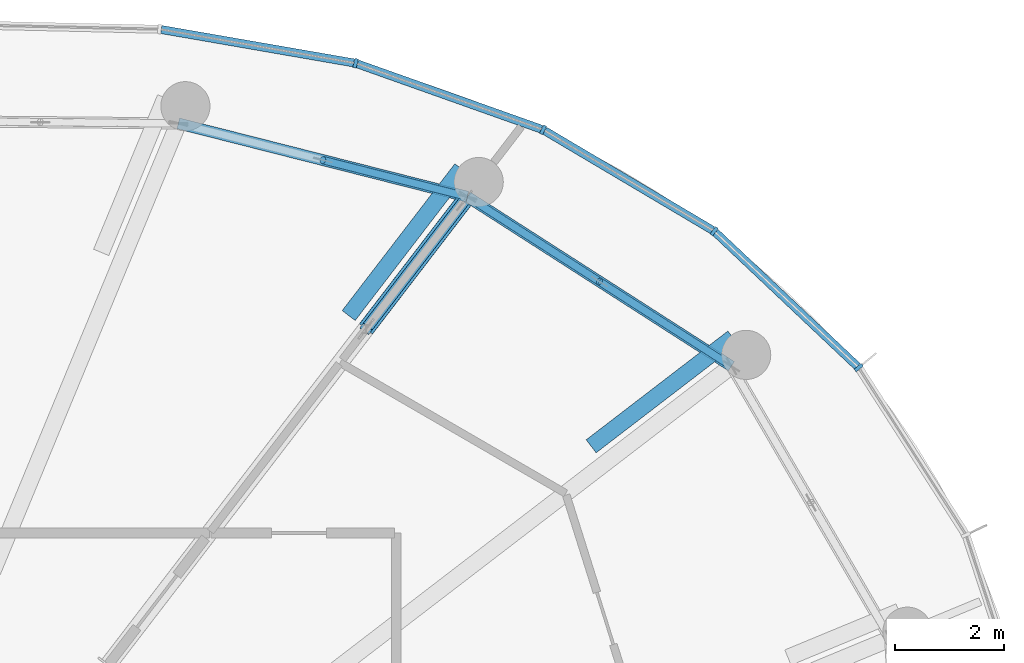
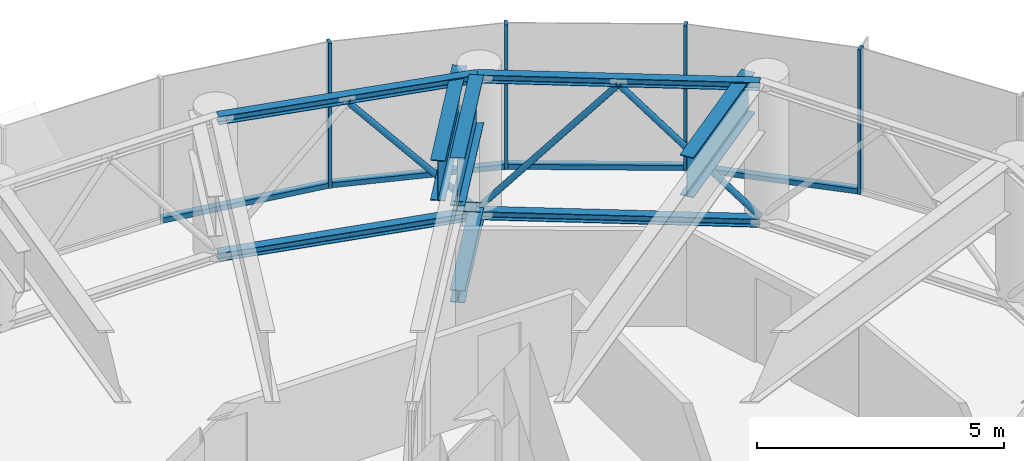
# One storey, part 13 of 26: 17 members, 3 beams, 1 element without a shape of its own.
"""IFC4 building model written with IfcOpenShell, lengths in metres."""

from ifc_helpers import new_model, si_unit, direction, frame, origin, origin_2d, place, context, subcontext, project, spatial, rectangle, hollow_circle, i_section, extrude, source, transform, mapped, material, layer, layer_set, material_profile, profile_set, type_object, element, aggregate, save


model = new_model("IFC4")

# Units and contexts
model_context = context("Model", 3, precision=1e-05, world=origin(), true_north=direction((0.0, 1.0)))
body_context = subcontext(model_context, "Body", "Model", "MODEL_VIEW")
ifc_project = project(units=[si_unit("LENGTHUNIT", "METRE"), si_unit("AREAUNIT", "SQUARE_METRE"), si_unit("VOLUMEUNIT", "CUBIC_METRE"), si_unit("PLANEANGLEUNIT", "RADIAN"), si_unit("MASSUNIT", "GRAM", prefix="KILO")], contexts=[model_context])

# Site, building, storey
site_placement = place(None, origin())
site = spatial("IfcSite", under=ifc_project, at=site_placement, CompositionType="ELEMENT")
building_placement = place(site_placement, origin())
building = spatial("IfcBuilding", under=site, at=building_placement, Name="Spindrift Exchange Tower", CompositionType="ELEMENT")
storey_placement = place(building_placement, frame((0.0, 0.0, 230.60009765625)))
storey = spatial("IfcBuildingStorey", under=building, at=storey_placement, Name="L56", CompositionType="ELEMENT", Elevation=230.60009765625)

# Beam
ifc_material_1 = material(Name="Steel Grade 300", Category="steel")
ifc_material_profile_1 = material_profile(ifc_material_1, i_section(OverallWidth=0.300048828125, OverallDepth=1.199951171875, WebThickness=0.011962890625, FlangeThickness=0.028076171875, at=origin_2d()), Name="1200WB249")
ifc_profile_set_1 = profile_set([ifc_material_profile_1], Name="Steel Grade 300")
beam_type_1 = type_object("IfcBeamType", Name="Outrigger Truss Transfer Girder 1200WB249 Steel Grade 300", PredefinedType="BEAM", material=ifc_profile_set_1)
shared_shape_1 = source(origin(), body_context, "Body", "SweptSolid", [
    extrude(i_section(OverallWidth=0.300048828125, OverallDepth=1.199951171875, WebThickness=0.011962890625, FlangeThickness=0.028076171875, at=origin_2d()), origin(), (0.0, 0.0, 1.0), 2.95703125),
])
beam_1_placement = place(storey_placement, frame((62.846923828125, 62.135986328125, 2.97998046875), z_axis=(0.608748695602, 0.793363110815, 0.0), x_axis=(-0.793363110815, 0.608748695602, 0.0)))
element("IfcBeam", 1, at=beam_1_placement, inside=storey, type_object=beam_type_1, Name="L56 outrigger truss 04 top chord 2", PredefinedType="BEAM", context=body_context, shape_type="MappedRepresentation", body=[
    mapped(shared_shape_1, transform((0.0, 0.0, 0.0), scale=1.0)),
])

# Members
ifc_material_profile_2 = material_profile(ifc_material_1, i_section(OverallWidth=0.304931640625, OverallDepth=0.30810546875, WebThickness=0.010009765625, FlangeThickness=0.015380859375, FilletRadius=0.0166015625, at=origin_2d()), Name="310UC96.8")
ifc_profile_set_2 = profile_set([ifc_material_profile_2], Name="Steel Grade 300")
member_type_1 = type_object("IfcMemberType", Name="Outrigger Truss Chord 310UC96.8 Steel Grade 300", PredefinedType="CHORD", material=ifc_profile_set_2)
shared_shape_2 = source(origin(), body_context, "Body", "SweptSolid", [
    extrude(i_section(OverallWidth=0.304931640625, OverallDepth=0.30810546875, WebThickness=0.010009765625, FlangeThickness=0.015380859375, FilletRadius=0.0166015625, at=origin_2d()), origin(), (0.0, 0.0, 1.0), 2.95703125),
])
member_1_placement = place(storey_placement, frame((62.846923828125, 62.135986328125, 0.15380859375), z_axis=(0.608748695602, 0.793363110815, 0.0), x_axis=(-0.793363110815, 0.608748695602, 0.0)))
element("IfcMember", 2, at=member_1_placement, inside=storey, type_object=member_type_1, Name="L56 outrigger truss 04 bottom chord 2", PredefinedType="CHORD", context=body_context, shape_type="MappedRepresentation", body=[
    mapped(shared_shape_2, transform((0.0, 0.0, 0.0), scale=1.0)),
])
ifc_material_profile_3 = material_profile(ifc_material_1, i_section(OverallWidth=0.202880859375, OverallDepth=0.202880859375, WebThickness=0.00732421875, FlangeThickness=0.010986328125, FilletRadius=0.012939453125, at=origin_2d()), Name="200UC46.2")
ifc_profile_set_3 = profile_set([ifc_material_profile_3], Name="Steel Grade 300")
member_type_2 = type_object("IfcMemberType", Name="Outrigger Truss Diagonal 200UC46.2 Steel Grade 300", PredefinedType="BRACE", material=ifc_profile_set_3)
shared_shape_3 = source(origin(), body_context, "Body", "SweptSolid", [
    extrude(i_section(OverallWidth=0.202880859375, OverallDepth=0.202880859375, WebThickness=0.00732421875, FlangeThickness=0.010986328125, FilletRadius=0.012939453125, at=origin_2d()), origin(), (0.0, 0.0, 1.0), 3.610595703125),
])
member_2_placement = place(storey_placement, frame((62.846923828125, 62.135986328125, 2.3798828125), z_axis=(0.498536349388, 0.649726811511, -0.573861114507), x_axis=(-0.793363110815, 0.608748695602, 0.0)))
element("IfcMember", 3, at=member_2_placement, inside=storey, type_object=member_type_2, Name="L56 outrigger truss 04 diagonal 2", PredefinedType="BRACE", context=body_context, shape_type="MappedRepresentation", body=[
    mapped(shared_shape_3, transform((0.0, 0.0, 0.0), scale=1.0)),
])
ifc_material_profile_4 = material_profile(ifc_material_1, i_section(OverallWidth=0.202880859375, OverallDepth=0.202880859375, WebThickness=0.00732421875, FlangeThickness=0.010986328125, FilletRadius=0.012939453125, at=origin_2d()), Name="200UC46.2")
ifc_profile_set_4 = profile_set([ifc_material_profile_4], Name="Steel Grade 300")
member_type_3 = type_object("IfcMemberType", Name="Belt Truss Chord 200UC46.2 Steel Grade 300", PredefinedType="CHORD", material=ifc_profile_set_4)
shared_shape_4 = source(origin(), body_context, "Body", "SweptSolid", [
    extrude(i_section(OverallWidth=0.202880859375, OverallDepth=0.202880859375, WebThickness=0.00732421875, FlangeThickness=0.010986328125, FilletRadius=0.012939453125, at=origin_2d()), origin(), (0.0, 0.0, 1.0), 5.739990234375),
])
for number, where, z_axis, x_axis, name in (
    (4, (69.532470703125, 61.452880859375, 3.478515625), (-0.841556919883, 0.540168446503, 0.0), (-0.540168446503, -0.841556919883, 0.0), "L56 belt truss 03 top chord"),
    (5, (69.532470703125, 61.452880859375, 0.101318359375), (-0.841556919883, 0.540168446503, 0.0), (-0.540168446503, -0.841556919883, 0.0), "L56 belt truss 03 bottom chord"),
):
    element("IfcMember", number, at=place(storey_placement, frame(where, z_axis=z_axis, x_axis=x_axis)), inside=storey, type_object=member_type_3, Name=name, PredefinedType="CHORD", context=body_context, shape_type="MappedRepresentation", body=[
        mapped(shared_shape_4, transform((0.0, 0.0, 0.0), scale=1.0)),
    ])
ifc_material_2 = material(Name="Steel Grade 350", Category="steel")
ifc_material_profile_5 = material_profile(ifc_material_2, hollow_circle(Radius=0.06982421875, WallThickness=0.00537109375, at=origin_2d()), Name="139.7x5.4CHS")
ifc_profile_set_5 = profile_set([ifc_material_profile_5], Name="Steel Grade 350")
member_type_4 = type_object("IfcMemberType", Name="Belt Truss Diagonal 139.7x5.4CHS Steel Grade 350", PredefinedType="BRACE", material=ifc_profile_set_5)
shared_shape_5 = source(origin(), body_context, "Body", "SweptSolid", [
    extrude(hollow_circle(Radius=0.06982421875, WallThickness=0.00537109375, at=origin_2d()), origin(), (0.0, 0.0, 1.0), 4.279296875),
])
for number, where, z_axis, x_axis, name in (
    (6, (69.532470703125, 61.452880859375, 0.202880859375), (-0.564421179541, 0.362283886595, 0.74174059994), (-0.540168446503, -0.841556919883, 0.0), "L56 belt truss 03 diagonal 1"),
    (7, (67.1171875, 63.003173828125, 3.376953125), (-0.564421179541, 0.362283886595, -0.74174059994), (-0.540168446503, -0.841556919883, 0.0), "L56 belt truss 03 diagonal 2"),
):
    element("IfcMember", number, at=place(storey_placement, frame(where, z_axis=z_axis, x_axis=x_axis)), inside=storey, type_object=member_type_4, Name=name, PredefinedType="BRACE", context=body_context, shape_type="MappedRepresentation", body=[
        mapped(shared_shape_5, transform((0.0, 0.0, 0.0), scale=1.0)),
    ])
shared_shape_6 = source(origin(), body_context, "Body", "SweptSolid", [
    extrude(i_section(OverallWidth=0.202880859375, OverallDepth=0.202880859375, WebThickness=0.00732421875, FlangeThickness=0.010986328125, FilletRadius=0.012939453125, at=origin_2d()), origin(), (0.0, 0.0, 1.0), 5.456787109375),
])
for number, where, z_axis, x_axis, name in (
    (8, (64.701904296875, 64.553466796875, 3.478515625), (-0.96928648639, 0.245934355674, 0.0), (-0.245934355674, -0.96928648639, 0.0), "L56 belt truss 04 top chord"),
    (9, (64.701904296875, 64.553466796875, 0.101318359375), (-0.96928648639, 0.245934355674, 0.0), (-0.245934355674, -0.96928648639, 0.0), "L56 belt truss 04 bottom chord"),
):
    element("IfcMember", number, at=place(storey_placement, frame(where, z_axis=z_axis, x_axis=x_axis)), inside=storey, type_object=member_type_3, Name=name, PredefinedType="CHORD", context=body_context, shape_type="MappedRepresentation", body=[
        mapped(shared_shape_6, transform((0.0, 0.0, 0.0), scale=1.0)),
    ])
shared_shape_7 = source(origin(), body_context, "Body", "SweptSolid", [
    extrude(hollow_circle(Radius=0.06982421875, WallThickness=0.00537109375, at=origin_2d()), origin(), (0.0, 0.0, 1.0), 4.185791015625),
])
member_3_placement = place(storey_placement, frame((64.701904296875, 64.553466796875, 0.202880859375), z_axis=(-0.631861210271, 0.160342145946, 0.758315110748), x_axis=(-0.245965722458, -0.969278527244, 0.0)))
element("IfcMember", 10, at=member_3_placement, inside=storey, type_object=member_type_4, Name="L56 belt truss 04 diagonal 1", PredefinedType="BRACE", context=body_context, shape_type="MappedRepresentation", body=[
    mapped(shared_shape_7, transform((0.0, 0.0, 0.0), scale=1.0)),
])

# Beams
ifc_material_profile_6 = material_profile(ifc_material_1, i_section(OverallWidth=0.300048828125, OverallDepth=1.0, WebThickness=0.010009765625, FlangeThickness=0.02001953125, at=origin_2d()), Name="1000WB215")
ifc_profile_set_6 = profile_set([ifc_material_profile_6], Name="Steel Grade 300")
beam_type_2 = type_object("IfcBeamType", Name="Transfer Tie Beam 1000WB215 Steel Grade 300", PredefinedType="BEAM", material=ifc_profile_set_6)
shared_shape_8 = source(origin(), body_context, "Body", "SweptSolid", [
    extrude(i_section(OverallWidth=0.300048828125, OverallDepth=1.0, WebThickness=0.010009765625, FlangeThickness=0.02001953125, at=origin_2d()), origin(), (0.0, 0.0, 1.0), 3.26806640625),
])
beam_2_placement = place(storey_placement, frame((69.55859375, 61.977294921875, 2.97998046875), z_axis=(-0.793353795333, -0.608760835986, 0.0), x_axis=(0.608760835986, -0.793353795333, 0.0)))
element("IfcBeam", 11, at=beam_2_placement, inside=storey, type_object=beam_type_2, Name="L56 transfer tie beam K03", PredefinedType="BEAM", context=body_context, shape_type="MappedRepresentation", body=[
    mapped(shared_shape_8, transform((0.0, 0.0, 0.0), scale=1.0)),
])
shared_shape_9 = source(origin(), body_context, "Body", "SweptSolid", [
    extrude(i_section(OverallWidth=0.300048828125, OverallDepth=1.0, WebThickness=0.010009765625, FlangeThickness=0.02001953125, at=origin_2d()), origin(), (0.0, 0.0, 1.0), 3.38720703125),
])
beam_3_placement = place(storey_placement, frame((64.591552734375, 65.066650390625, 2.97998046875), z_axis=(-0.608762873611, -0.793352231807, 0.0), x_axis=(0.793352231807, -0.608762873611, 0.0)))
element("IfcBeam", 12, at=beam_3_placement, inside=storey, type_object=beam_type_2, Name="L56 transfer tie beam K04", PredefinedType="BEAM", context=body_context, shape_type="MappedRepresentation", body=[
    mapped(shared_shape_9, transform((0.0, 0.0, 0.0), scale=1.0)),
])

# Curtain wall, members
ifc_material_3 = material(Name="Fritted laminated glass with bronze frame", Category="glass")
ifc_layer = layer(ifc_material_3, 0.169921875)
ifc_layer_set = layer_set([ifc_layer], Name="ZONE 4 BRONZE FRITTED WALL")
curtain_wall_type = type_object("IfcCurtainWallType", Name="ZONE 4 BRONZE FRITTED WALL", PredefinedType="NOTDEFINED", material=ifc_layer_set)
curtain_wall_placement = place(storey_placement, origin())
curtain_wall = element("IfcCurtainWall", 13, at=curtain_wall_placement, inside=storey, type_object=curtain_wall_type, Name="L56 Zone 4 Bronze Fritted Wall run 1", PredefinedType="NOTDEFINED")
ifc_material_4 = material(Name="Bronze anodised aluminium", Category="aluminium")
ifc_material_profile_7 = material_profile(ifc_material_4, rectangle(XDim=0.06494140625, YDim=0.169921875, at=origin_2d()), Name="ZONE 4 BRONZE FRITTED WALL MULLION 65X170")
ifc_profile_set_7 = profile_set([ifc_material_profile_7], Name="Bronze anodised aluminium")
member_type_5 = type_object("IfcMemberType", Name="ZONE 4 BRONZE FRITTED WALL MULLION 65X170", PredefinedType="MULLION", material=ifc_profile_set_7)
shared_shape_10 = source(origin(), body_context, "Body", "SweptSolid", [
    extrude(rectangle(XDim=0.06494140625, YDim=0.169921875, at=origin_2d()), origin(), (0.0, 0.0, 1.0), 3.579833984375),
])
member_4_placement = place(storey_placement, frame((71.861083984375, 61.42724609375, 0.0), z_axis=(0.0, 0.0, 1.0), x_axis=(-0.638242535108, 0.769835350175, 0.0)))
member_4 = element("IfcMember", 14, at=member_4_placement, type_object=member_type_5, Name="L56 mullion CW-4.2", PredefinedType="MULLION", context=body_context, shape_type="MappedRepresentation", body=[
    mapped(shared_shape_10, transform((0.0, 0.0, 0.0), scale=1.0)),
])
member_5_placement = place(storey_placement, frame((69.216552734375, 63.92333984375, 0.0), z_axis=(0.0, 0.0, 1.0), x_axis=(-0.79859080255, 0.60187434742, 0.0)))
member_5 = element("IfcMember", 15, at=member_5_placement, type_object=member_type_5, Name="L56 mullion CW-4.3", PredefinedType="MULLION", context=body_context, shape_type="MappedRepresentation", body=[
    mapped(shared_shape_10, transform((0.0, 0.0, 0.0), scale=1.0)),
])
member_6_placement = place(storey_placement, frame((66.0869140625, 65.77880859375, 0.0), z_axis=(0.0, 0.0, 1.0), x_axis=(-0.905551229258, 0.42423692813, 0.0)))
member_6 = element("IfcMember", 16, at=member_6_placement, type_object=member_type_5, Name="L56 mullion CW-4.4", PredefinedType="MULLION", context=body_context, shape_type="MappedRepresentation", body=[
    mapped(shared_shape_10, transform((0.0, 0.0, 0.0), scale=1.0)),
])
member_7_placement = place(storey_placement, frame((62.65673828125, 66.996337890625, 0.0), z_axis=(0.0, 0.0, 1.0), x_axis=(-0.967299889285, 0.25363541588, 0.0)))
member_7 = element("IfcMember", 17, at=member_7_placement, type_object=member_type_5, Name="L56 mullion CW-4.5", PredefinedType="MULLION", context=body_context, shape_type="MappedRepresentation", body=[
    mapped(shared_shape_10, transform((0.0, 0.0, 0.0), scale=1.0)),
])
ifc_material_profile_8 = material_profile(ifc_material_4, rectangle(XDim=0.14990234375, YDim=0.125, at=origin_2d()), Name="ZONE 4 BRONZE FRITTED WALL TRANSOM 150X125")
ifc_profile_set_8 = profile_set([ifc_material_profile_8], Name="Bronze anodised aluminium")
member_type_6 = type_object("IfcMemberType", Name="ZONE 4 BRONZE FRITTED WALL TRANSOM 150X125", PredefinedType="USERDEFINED", material=ifc_profile_set_8)
shared_shape_11 = source(origin(), body_context, "Body", "SweptSolid", [
    extrude(rectangle(XDim=0.14990234375, YDim=0.125, at=origin_2d()), origin(), (0.0, 0.0, 1.0), 3.5732421875),
])
member_8_placement = place(storey_placement, frame((69.1884765625, 63.93994140625, 0.0625), z_axis=(-0.860193853281, 0.509967189904, 0.0), x_axis=(-0.509967189904, -0.860193853281, 0.0)))
member_8 = element("IfcMember", 18, at=member_8_placement, type_object=member_type_6, Name="L56 transom CW-4.3", ObjectType="TRANSOM", PredefinedType="USERDEFINED", context=body_context, shape_type="MappedRepresentation", body=[
    mapped(shared_shape_11, transform((0.0, 0.0, 0.0), scale=1.0)),
])
shared_shape_12 = source(origin(), body_context, "Body", "SweptSolid", [
    extrude(rectangle(XDim=0.14990234375, YDim=0.125, at=origin_2d()), origin(), (0.0, 0.0, 1.0), 3.576171875),
])
member_9_placement = place(storey_placement, frame((62.624755859375, 67.001953125, 0.0625), z_axis=(-0.985279822131, 0.170949326124, 0.0), x_axis=(-0.170949326124, -0.985279822131, 0.0)))
member_9 = element("IfcMember", 19, at=member_9_placement, type_object=member_type_6, Name="L56 transom CW-4.5", ObjectType="TRANSOM", PredefinedType="USERDEFINED", context=body_context, shape_type="MappedRepresentation", body=[
    mapped(shared_shape_12, transform((0.0, 0.0, 0.0), scale=1.0)),
])
shared_shape_13 = source(origin(), body_context, "Body", "SweptSolid", [
    extrude(rectangle(XDim=0.14990234375, YDim=0.125, at=origin_2d()), origin(), (0.0, 0.0, 1.0), 3.57470703125),
])
member_10_placement = place(storey_placement, frame((66.05615234375, 65.789794921875, 0.0625), z_axis=(-0.942393719667, 0.334505720627, 0.0), x_axis=(-0.334505720627, -0.942393719667, 0.0)))
member_10 = element("IfcMember", 20, at=member_10_placement, type_object=member_type_6, Name="L56 transom CW-4.4", ObjectType="TRANSOM", PredefinedType="USERDEFINED", context=body_context, shape_type="MappedRepresentation", body=[
    mapped(shared_shape_13, transform((0.0, 0.0, 0.0), scale=1.0)),
])
shared_shape_14 = source(origin(), body_context, "Body", "SweptSolid", [
    extrude(rectangle(XDim=0.14990234375, YDim=0.125, at=origin_2d()), origin(), (0.0, 0.0, 1.0), 3.5712890625),
])
member_11_placement = place(storey_placement, frame((71.83740234375, 61.44970703125, 0.0625), z_axis=(-0.727217866854, 0.68640671189, 0.0), x_axis=(-0.68640671189, -0.727217866854, 0.0)))
member_11 = element("IfcMember", 21, at=member_11_placement, type_object=member_type_6, Name="L56 transom CW-4.2", ObjectType="TRANSOM", PredefinedType="USERDEFINED", context=body_context, shape_type="MappedRepresentation", body=[
    mapped(shared_shape_14, transform((0.0, 0.0, 0.0), scale=1.0)),
])
aggregate(curtain_wall, [member_4, member_11, member_5, member_8, member_6, member_10, member_7, member_9])

save(model, "model.ifc")
